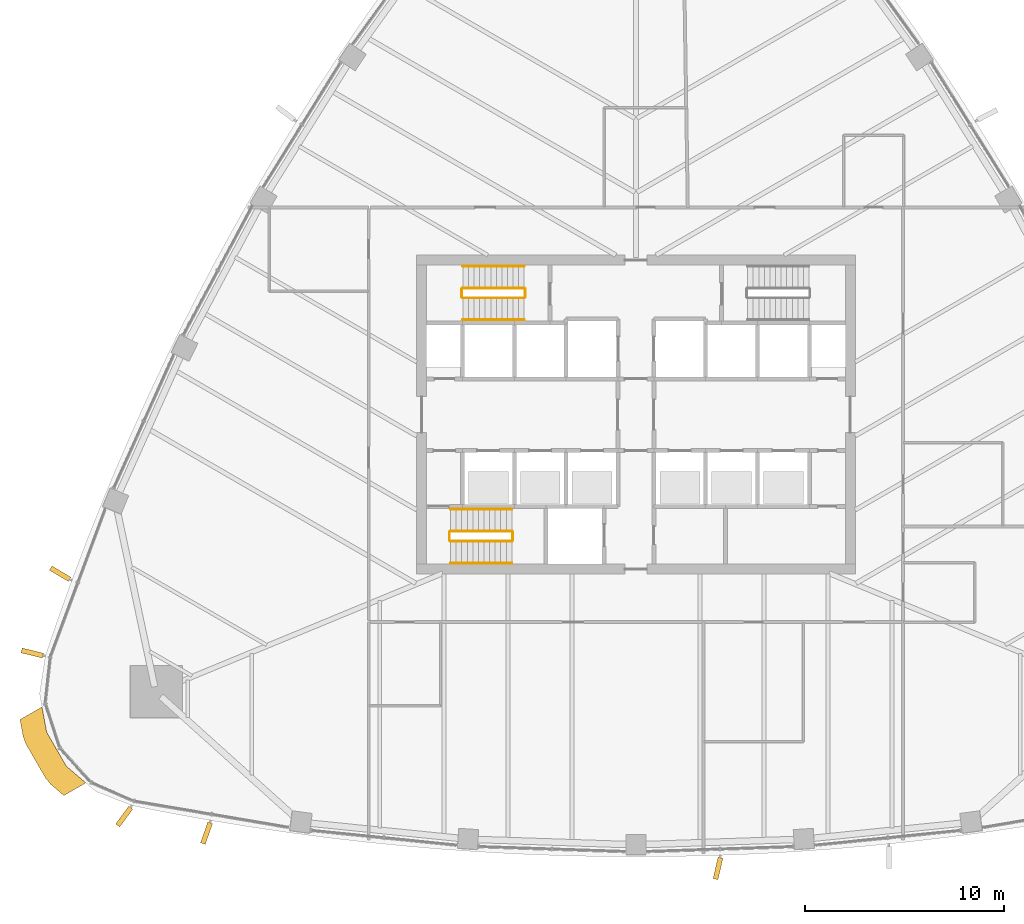
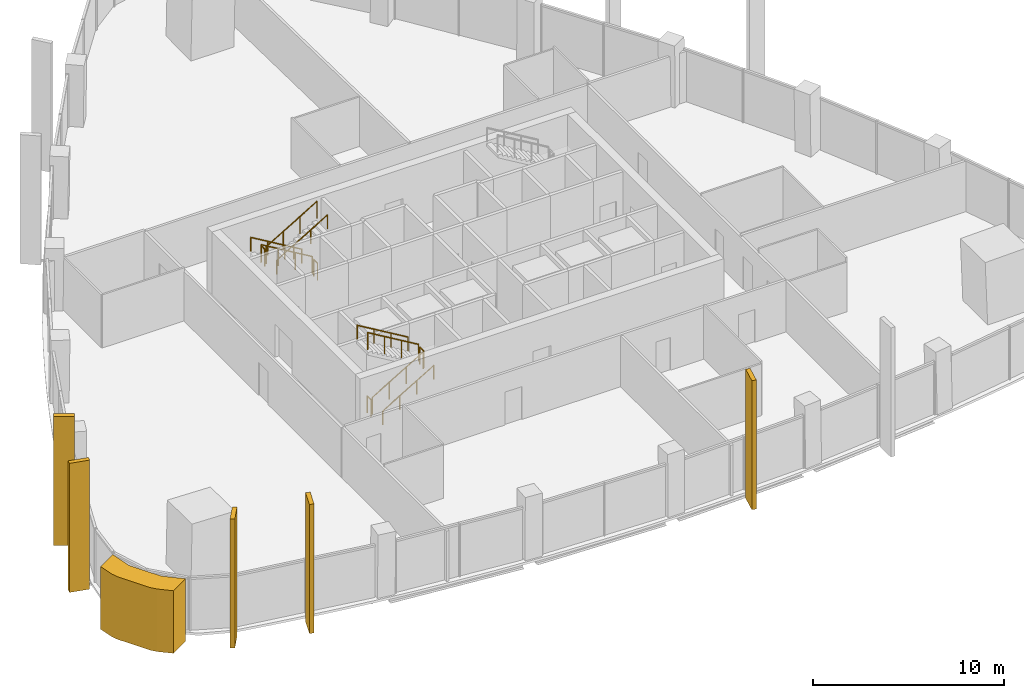
# One storey, part 17 of 20: 12 railings, 6 coverings.
"""IFC4 building model written with IfcOpenShell, lengths in metres."""

from ifc_helpers import new_model, si_unit, direction, frame, origin, origin_2d, place, context, subcontext, project, spatial, polyline, rectangle, circle, outline, extrude, material, layer, layer_set, material_profile, profile_set, type_object, element, save


model = new_model("IFC4")

# Units and contexts
model_context = context("Model", 3, precision=1e-05, world=origin(), true_north=direction((0.0, 1.0)))
body_context = subcontext(model_context, "Body", "Model", "MODEL_VIEW")
ifc_project = project(units=[si_unit("LENGTHUNIT", "METRE"), si_unit("AREAUNIT", "SQUARE_METRE"), si_unit("VOLUMEUNIT", "CUBIC_METRE"), si_unit("PLANEANGLEUNIT", "RADIAN"), si_unit("MASSUNIT", "GRAM", prefix="KILO")], contexts=[model_context])

# Site, building, storey
site_placement = place(None, origin())
site = spatial("IfcSite", under=ifc_project, at=site_placement, CompositionType="ELEMENT")
building_placement = place(site_placement, origin())
building = spatial("IfcBuilding", under=site, at=building_placement, Name="Sierra Prisma Convention Tower", CompositionType="ELEMENT")
storey_placement = place(building_placement, frame((0.0, 0.0, 161.800048828125)))
storey = spatial("IfcBuildingStorey", under=building, at=storey_placement, Name="L35", CompositionType="ELEMENT", Elevation=161.800048828125)

# Coverings
ifc_material_1 = material(Name="Aluminium composite bronze anodised", Category="aluminium")
ifc_layer = layer(ifc_material_1, 1.199951171875)
ifc_layer_set = layer_set([ifc_layer], Name="Bronze corner pier")
covering_type_1 = type_object("IfcCoveringType", Name="Bronze corner pier", PredefinedType="CLADDING", material=ifc_layer_set)
covering_placement = place(storey_placement, frame((0.0, 0.0, -0.60009765625)))
element("IfcCovering", 1, at=covering_placement, inside=storey, type_object=covering_type_1, Name="Corner pier SW L35.1", PredefinedType="CLADDING", context=body_context, shape_type="SweptSolid", body=[
    extrude(outline(polyline([(-29.5498046875, -15.928466796875), (-28.5693359375, -17.626708984375), (-27.58837890625, -18.468505859375), (-28.68994140625, -19.1044921875), (-29.3505859375, -18.53759765625), (-29.6083984375, -18.226806640625), (-30.589111328125, -16.5283203125), (-30.729248046875, -16.149658203125), (-30.889892578125, -15.2939453125), (-29.788330078125, -14.657958984375), (-29.5498046875, -15.928466796875)])), origin(), (0.0, 0.0, 1.0), 4.0),
])
ifc_material_2 = material(Name="Aluminium 6063-T6 bronze anodised", Category="aluminium")
ifc_material_profile = material_profile(ifc_material_2, rectangle(XDim=1.10009765625, YDim=0.25, at=origin_2d()), Name="ALU FIN 1100x250")
ifc_profile_set = profile_set([ifc_material_profile], Name="Aluminium 6063-T6 bronze anodised")
covering_type_2 = type_object("IfcCoveringType", Name="Bronze facade fin", PredefinedType="CLADDING", material=ifc_profile_set)
for number, where, z_axis, x_axis, name in (
    (2, (-25.661376953125, -20.155029296875, -0.300048828125), (0.0, 0.0, 1.0), (-0.591442884649, -0.806346894456, 0.0), "Fin L35.1"),
    (3, (-21.53466796875, -20.989990234375, -0.300048828125), (0.0, 0.0, 1.0), (-0.331313187192, -0.943520838134, 0.0), "Fin L35.2"),
    (4, (4.115234375, -22.75732421875, -0.300048828125), (0.0, 0.0, 1.0), (-0.221108802992, -0.975249146239, 0.0), "Fin L35.11"),
    (5, (-28.8779296875, -7.975830078125, -0.300048828125), (0.0, 0.0, 1.0), (-0.860284130214, 0.509814883366, 0.0), "Fin L35.59"),
    (6, (-30.27294921875, -11.955322265625, -0.300048828125), (0.0, 0.0, 1.0), (-0.971381328073, 0.237525399634, 0.0), "Fin L35.60"),
):
    element("IfcCovering", number, at=place(storey_placement, frame(where, z_axis=z_axis, x_axis=x_axis)), inside=storey, type_object=covering_type_2, Name=name, ObjectType="FIN", PredefinedType="CLADDING", context=body_context, shape_type="SweptSolid", body=[
        extrude(rectangle(XDim=1.10009765625, YDim=0.25, at=origin_2d()), origin(), (0.0, 0.0, 1.0), 8.25),
    ])

# Railings
ifc_material_3 = material(Name="Stainless steel", Category="steel")
railing_type_1 = type_object("IfcRailingType", Name="Exit stair handrail", PredefinedType="HANDRAIL", material=ifc_material_3)
railing_1_placement = place(storey_placement, frame((-9.300048828125, -7.449951171875, 0.16650390625)))
element("IfcRailing", 7, at=railing_1_placement, inside=storey, type_object=railing_type_1, Name="L35 S1 stair handrail 1", PredefinedType="HANDRAIL", context=body_context, shape_type="SweptSolid", body=[
    extrude(circle(Radius=0.02392578125, at=origin_2d()), frame((0.0, 0.0, 0.8759765625), z_axis=(0.85927862911, 0.0, 0.511507807912), x_axis=(0.0, 1.0, 0.0)), (0.0, 0.0, 1.0), 3.58447265625),
    extrude(circle(Radius=0.02099609375, at=origin_2d()), origin(), (0.0, 0.0, 1.0), 0.851806640625),
    extrude(circle(Radius=0.02099609375, at=origin_2d()), frame((1.026611328125, 0.0, 0.611083984375)), (0.0, 0.0, 1.0), 0.851806640625),
    extrude(circle(Radius=0.02099609375, at=origin_2d()), frame((2.053466796875, 0.0, 1.222412109375)), (0.0, 0.0, 1.0), 0.851806640625),
    extrude(circle(Radius=0.02099609375, at=origin_2d()), frame((3.080078125, 0.0, 1.83349609375)), (0.0, 0.0, 1.0), 0.851806640625),
])
railing_2_placement = place(storey_placement, frame((-6.219970703125, -4.75, 2.16650390625)))
element("IfcRailing", 8, at=railing_2_placement, inside=storey, type_object=railing_type_1, Name="L35 S1 stair handrail 2", PredefinedType="HANDRAIL", context=body_context, shape_type="SweptSolid", body=[
    extrude(circle(Radius=0.02392578125, at=origin_2d()), frame((0.0, 0.0, 0.8759765625), z_axis=(-0.85927862911, 0.0, 0.511507807912), x_axis=(0.0, -1.0, 0.0)), (0.0, 0.0, 1.0), 3.58447265625),
    extrude(circle(Radius=0.02099609375, at=origin_2d()), origin(), (0.0, 0.0, 1.0), 0.851806640625),
    extrude(circle(Radius=0.02099609375, at=origin_2d()), frame((-1.026611328125, 0.0, 0.611083984375)), (0.0, 0.0, 1.0), 0.851806640625),
    extrude(circle(Radius=0.02099609375, at=origin_2d()), frame((-2.053466796875, 0.0, 1.222412109375)), (0.0, 0.0, 1.0), 0.851806640625),
    extrude(circle(Radius=0.02099609375, at=origin_2d()), frame((-3.080078125, 0.0, 1.83349609375)), (0.0, 0.0, 1.0), 0.851806640625),
])
railing_3_placement = place(storey_placement, frame((-5.60009765625, 7.449951171875, 0.16650390625)))
element("IfcRailing", 9, at=railing_3_placement, inside=storey, type_object=railing_type_1, Name="L35 S3 stair handrail 1", PredefinedType="HANDRAIL", context=body_context, shape_type="SweptSolid", body=[
    extrude(circle(Radius=0.02392578125, at=origin_2d()), frame((0.0, 0.0, 0.8759765625), z_axis=(-0.859260807169, 0.0, 0.511537745687), x_axis=(0.0, -1.0, 0.0)), (0.0, 0.0, 1.0), 3.584228515625),
    extrude(circle(Radius=0.02099609375, at=origin_2d()), origin(), (0.0, 0.0, 1.0), 0.851806640625),
    extrude(circle(Radius=0.02099609375, at=origin_2d()), frame((-1.026611328125, 0.0, 0.611083984375)), (0.0, 0.0, 1.0), 0.851806640625),
    extrude(circle(Radius=0.02099609375, at=origin_2d()), frame((-2.05322265625, 0.0, 1.222412109375)), (0.0, 0.0, 1.0), 0.851806640625),
    extrude(circle(Radius=0.02099609375, at=origin_2d()), frame((-3.079833984375, 0.0, 1.83349609375)), (0.0, 0.0, 1.0), 0.851806640625),
])
railing_4_placement = place(storey_placement, frame((-8.679931640625, 4.75, 2.16650390625)))
element("IfcRailing", 10, at=railing_4_placement, inside=storey, type_object=railing_type_1, Name="L35 S3 stair handrail 2", PredefinedType="HANDRAIL", context=body_context, shape_type="SweptSolid", body=[
    extrude(circle(Radius=0.02392578125, at=origin_2d()), frame((0.0, 0.0, 0.8759765625), z_axis=(0.859260807169, 0.0, 0.511537745687), x_axis=(0.0, 1.0, 0.0)), (0.0, 0.0, 1.0), 3.584228515625),
    extrude(circle(Radius=0.02099609375, at=origin_2d()), origin(), (0.0, 0.0, 1.0), 0.851806640625),
    extrude(circle(Radius=0.02099609375, at=origin_2d()), frame((1.026611328125, 0.0, 0.611083984375)), (0.0, 0.0, 1.0), 0.851806640625),
    extrude(circle(Radius=0.02099609375, at=origin_2d()), frame((2.05322265625, 0.0, 1.222412109375)), (0.0, 0.0, 1.0), 0.851806640625),
    extrude(circle(Radius=0.02099609375, at=origin_2d()), frame((3.079833984375, 0.0, 1.83349609375)), (0.0, 0.0, 1.0), 0.851806640625),
])
ifc_material_4 = material(Name="Stainless steel", Category="steel")
railing_type_2 = type_object("IfcRailingType", Name="Stair guard 1100", PredefinedType="GUARDRAIL", material=ifc_material_4)
railing_5_placement = place(storey_placement, frame((-9.300048828125, -6.35009765625, 0.16650390625)))
element("IfcRailing", 11, at=railing_5_placement, inside=storey, type_object=railing_type_2, Name="L35 S1 stair guard 1", PredefinedType="GUARDRAIL", context=body_context, shape_type="SweptSolid", body=[
    extrude(circle(Radius=0.02392578125, at=origin_2d()), frame((0.0, 0.0, 1.076171875), z_axis=(0.85927862911, 0.0, 0.511507807912), x_axis=(0.0, 1.0, 0.0)), (0.0, 0.0, 1.0), 3.58447265625),
    extrude(circle(Radius=0.02099609375, at=origin_2d()), origin(), (0.0, 0.0, 1.0), 1.052001953125),
    extrude(circle(Radius=0.02099609375, at=origin_2d()), frame((1.026611328125, 0.0, 0.611083984375)), (0.0, 0.0, 1.0), 1.052001953125),
    extrude(circle(Radius=0.02099609375, at=origin_2d()), frame((2.053466796875, 0.0, 1.222412109375)), (0.0, 0.0, 1.0), 1.052001953125),
    extrude(circle(Radius=0.02099609375, at=origin_2d()), frame((3.080078125, 0.0, 1.83349609375)), (0.0, 0.0, 1.0), 1.052001953125),
])
railing_6_placement = place(storey_placement, frame((-6.169921875, -6.300048828125, 2.0)))
element("IfcRailing", 12, at=railing_6_placement, inside=storey, type_object=railing_type_2, Name="L35 S1 stair guard 2", PredefinedType="GUARDRAIL", context=body_context, shape_type="SweptSolid", body=[
    extrude(circle(Radius=0.02392578125, at=origin_2d()), frame((0.0, 0.0, 1.076171875), z_axis=(0.0, 1.0, 0.0), x_axis=(-1.0, 0.0, 0.0)), (0.0, 0.0, 1.0), 0.400146484375),
    extrude(circle(Radius=0.02099609375, at=origin_2d()), origin(), (0.0, 0.0, 1.0), 1.052001953125),
    extrude(circle(Radius=0.02099609375, at=origin_2d()), frame((0.0, 0.400146484375, 0.0)), (0.0, 0.0, 1.0), 1.052001953125),
])
railing_7_placement = place(storey_placement, frame((-6.219970703125, -5.85009765625, 2.16650390625)))
element("IfcRailing", 13, at=railing_7_placement, inside=storey, type_object=railing_type_2, Name="L35 S1 stair guard 3", PredefinedType="GUARDRAIL", context=body_context, shape_type="SweptSolid", body=[
    extrude(circle(Radius=0.02392578125, at=origin_2d()), frame((0.0, 0.0, 1.076171875), z_axis=(-0.85927862911, 0.0, 0.511507807912), x_axis=(0.0, -1.0, 0.0)), (0.0, 0.0, 1.0), 3.58447265625),
    extrude(circle(Radius=0.02099609375, at=origin_2d()), origin(), (0.0, 0.0, 1.0), 1.052001953125),
    extrude(circle(Radius=0.02099609375, at=origin_2d()), frame((-1.026611328125, 0.0, 0.611083984375)), (0.0, 0.0, 1.0), 1.052001953125),
    extrude(circle(Radius=0.02099609375, at=origin_2d()), frame((-2.053466796875, 0.0, 1.222412109375)), (0.0, 0.0, 1.0), 1.052001953125),
    extrude(circle(Radius=0.02099609375, at=origin_2d()), frame((-3.080078125, 0.0, 1.83349609375)), (0.0, 0.0, 1.0), 1.052001953125),
])
railing_8_placement = place(storey_placement, frame((-9.35009765625, -6.300048828125, 0.0)))
element("IfcRailing", 14, at=railing_8_placement, inside=storey, type_object=railing_type_2, Name="L35 S1 stair guard 4", PredefinedType="GUARDRAIL", context=body_context, shape_type="SweptSolid", body=[
    extrude(circle(Radius=0.02392578125, at=origin_2d()), frame((0.0, 0.0, 1.076171875), z_axis=(0.0, 1.0, 0.0), x_axis=(-1.0, 0.0, 0.0)), (0.0, 0.0, 1.0), 0.400146484375),
    extrude(circle(Radius=0.02099609375, at=origin_2d()), origin(), (0.0, 0.0, 1.0), 1.052001953125),
    extrude(circle(Radius=0.02099609375, at=origin_2d()), frame((0.0, 0.400146484375, 0.0)), (0.0, 0.0, 1.0), 1.052001953125),
])
railing_9_placement = place(storey_placement, frame((-5.60009765625, 6.35009765625, 0.16650390625)))
element("IfcRailing", 15, at=railing_9_placement, inside=storey, type_object=railing_type_2, Name="L35 S3 stair guard 1", PredefinedType="GUARDRAIL", context=body_context, shape_type="SweptSolid", body=[
    extrude(circle(Radius=0.02392578125, at=origin_2d()), frame((0.0, 0.0, 1.076171875), z_axis=(-0.859260807169, 0.0, 0.511537745687), x_axis=(0.0, -1.0, 0.0)), (0.0, 0.0, 1.0), 3.584228515625),
    extrude(circle(Radius=0.02099609375, at=origin_2d()), origin(), (0.0, 0.0, 1.0), 1.052001953125),
    extrude(circle(Radius=0.02099609375, at=origin_2d()), frame((-1.026611328125, 0.0, 0.611083984375)), (0.0, 0.0, 1.0), 1.052001953125),
    extrude(circle(Radius=0.02099609375, at=origin_2d()), frame((-2.05322265625, 0.0, 1.222412109375)), (0.0, 0.0, 1.0), 1.052001953125),
    extrude(circle(Radius=0.02099609375, at=origin_2d()), frame((-3.079833984375, 0.0, 1.83349609375)), (0.0, 0.0, 1.0), 1.052001953125),
])
railing_10_placement = place(storey_placement, frame((-8.72998046875, 6.300048828125, 2.0)))
element("IfcRailing", 16, at=railing_10_placement, inside=storey, type_object=railing_type_2, Name="L35 S3 stair guard 2", PredefinedType="GUARDRAIL", context=body_context, shape_type="SweptSolid", body=[
    extrude(circle(Radius=0.02392578125, at=origin_2d()), frame((0.0, 0.0, 1.076171875), z_axis=(0.0, -1.0, 0.0), x_axis=(1.0, 0.0, 0.0)), (0.0, 0.0, 1.0), 0.400146484375),
    extrude(circle(Radius=0.02099609375, at=origin_2d()), origin(), (0.0, 0.0, 1.0), 1.052001953125),
    extrude(circle(Radius=0.02099609375, at=origin_2d()), frame((0.0, -0.400146484375, 0.0)), (0.0, 0.0, 1.0), 1.052001953125),
])
railing_11_placement = place(storey_placement, frame((-8.679931640625, 5.85009765625, 2.16650390625)))
element("IfcRailing", 17, at=railing_11_placement, inside=storey, type_object=railing_type_2, Name="L35 S3 stair guard 3", PredefinedType="GUARDRAIL", context=body_context, shape_type="SweptSolid", body=[
    extrude(circle(Radius=0.02392578125, at=origin_2d()), frame((0.0, 0.0, 1.076171875), z_axis=(0.859260807169, 0.0, 0.511537745687), x_axis=(0.0, 1.0, 0.0)), (0.0, 0.0, 1.0), 3.584228515625),
    extrude(circle(Radius=0.02099609375, at=origin_2d()), origin(), (0.0, 0.0, 1.0), 1.052001953125),
    extrude(circle(Radius=0.02099609375, at=origin_2d()), frame((1.026611328125, 0.0, 0.611083984375)), (0.0, 0.0, 1.0), 1.052001953125),
    extrude(circle(Radius=0.02099609375, at=origin_2d()), frame((2.05322265625, 0.0, 1.222412109375)), (0.0, 0.0, 1.0), 1.052001953125),
    extrude(circle(Radius=0.02099609375, at=origin_2d()), frame((3.079833984375, 0.0, 1.83349609375)), (0.0, 0.0, 1.0), 1.052001953125),
])
railing_12_placement = place(storey_placement, frame((-5.550048828125, 6.300048828125, 0.0)))
element("IfcRailing", 18, at=railing_12_placement, inside=storey, type_object=railing_type_2, Name="L35 S3 stair guard 4", PredefinedType="GUARDRAIL", context=body_context, shape_type="SweptSolid", body=[
    extrude(circle(Radius=0.02392578125, at=origin_2d()), frame((0.0, 0.0, 1.076171875), z_axis=(0.0, -1.0, 0.0), x_axis=(1.0, 0.0, 0.0)), (0.0, 0.0, 1.0), 0.400146484375),
    extrude(circle(Radius=0.02099609375, at=origin_2d()), origin(), (0.0, 0.0, 1.0), 1.052001953125),
    extrude(circle(Radius=0.02099609375, at=origin_2d()), frame((0.0, -0.400146484375, 0.0)), (0.0, 0.0, 1.0), 1.052001953125),
])

save(model, "model.ifc")
